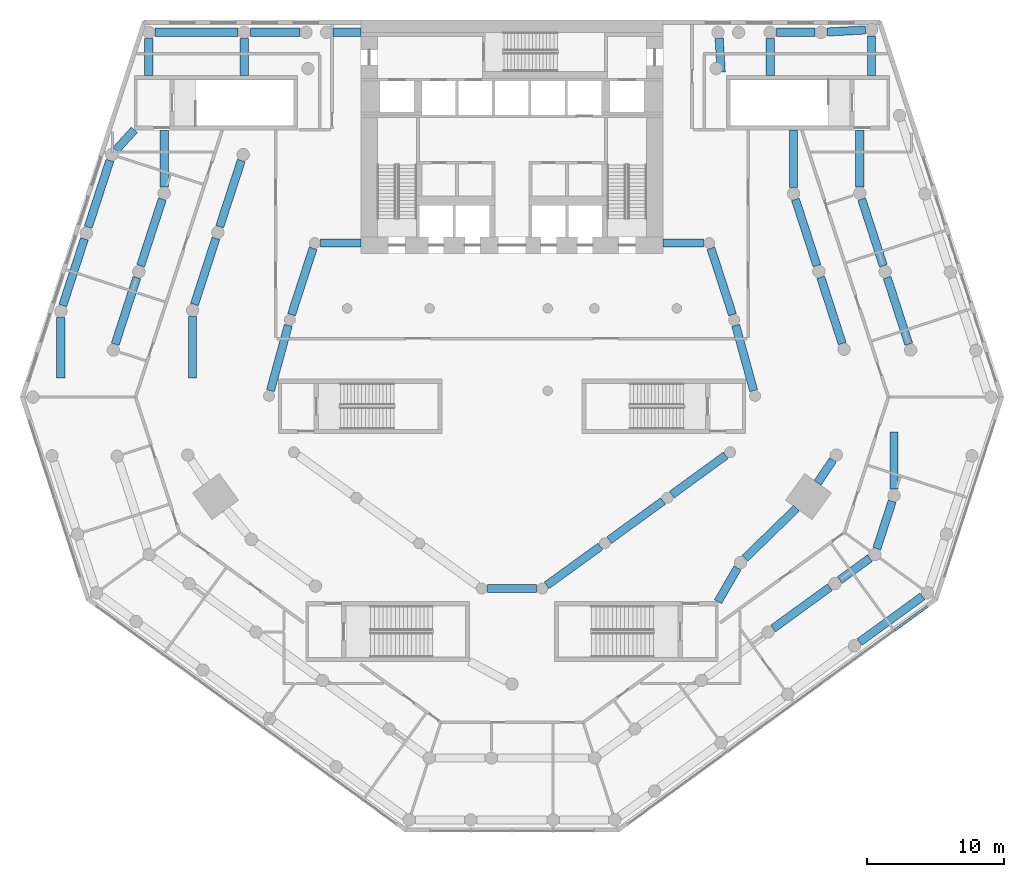
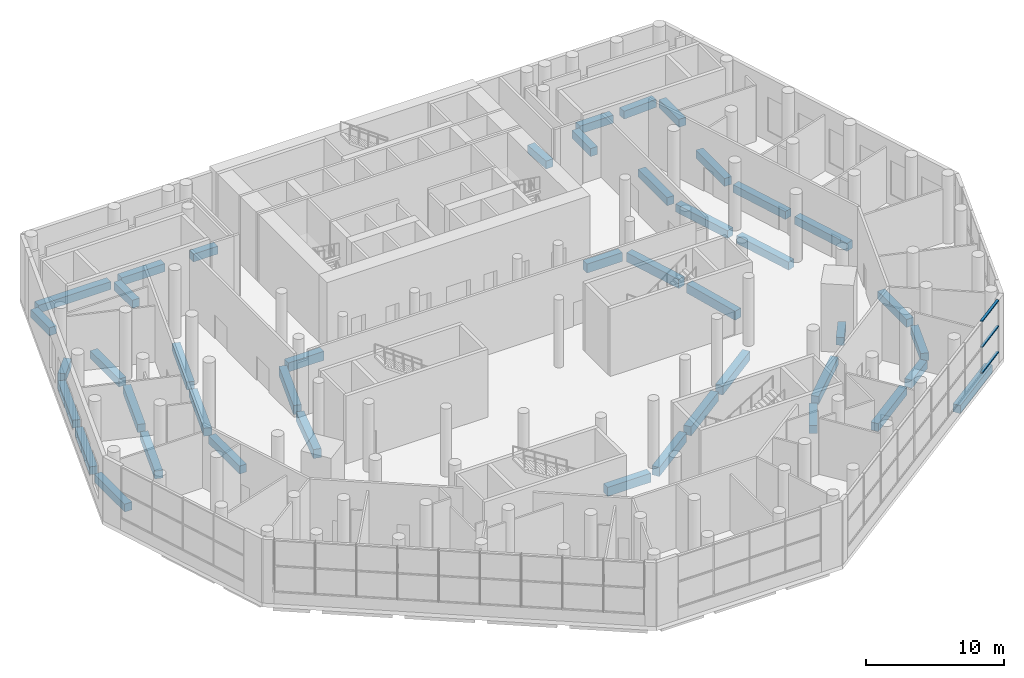
# One storey, part 6 of 19: 44 beams, 3 members, 1 element without a shape of its own.
"""IFC4 building model written with IfcOpenShell, lengths in metres."""

from ifc_helpers import new_model, si_unit, direction, frame, origin, origin_2d, place, context, subcontext, project, spatial, rectangle, extrude, material, material_profile, profile_set, type_object, element, aggregate, save


model = new_model("IFC4")

# Units and contexts
model_context = context("Model", 3, precision=1e-05, world=origin(), true_north=direction((0.0, 1.0)))
body_context = subcontext(model_context, "Body", "Model", "MODEL_VIEW")
ifc_project = project(units=[si_unit("LENGTHUNIT", "METRE"), si_unit("AREAUNIT", "SQUARE_METRE"), si_unit("VOLUMEUNIT", "CUBIC_METRE"), si_unit("PLANEANGLEUNIT", "RADIAN"), si_unit("MASSUNIT", "GRAM", prefix="KILO")], contexts=[model_context])

# Site, building, storey
site_placement = place(None, origin())
site = spatial("IfcSite", under=ifc_project, at=site_placement, CompositionType="ELEMENT")
building_placement = place(site_placement, origin())
building = spatial("IfcBuilding", under=site, at=building_placement, Name="White Candle Pilgrim Tower", CompositionType="ELEMENT")
storey_placement = place(building_placement, frame((0.0, 0.0, 23.0)))
storey = spatial("IfcBuildingStorey", under=building, at=storey_placement, Name="L03", CompositionType="ELEMENT", Elevation=23.0)

# Curtain wall, members
ifc_material_1 = material(Name="Aluminium and glass", Category="aluminium")
curtain_wall_type = type_object("IfcCurtainWallType", Name="Curtain wall CW2 prayer hall clerestory", PredefinedType="NOTDEFINED", material=ifc_material_1)
curtain_wall_placement = place(storey_placement, origin())
curtain_wall = element("IfcCurtainWall", 1, at=curtain_wall_placement, inside=storey, type_object=curtain_wall_type, Name="Curtain wall CW2 L03 SE", PredefinedType="NOTDEFINED")
ifc_material_2 = material(Name="Aluminium", Category="aluminium")
ifc_material_profile_1 = material_profile(ifc_material_2, rectangle(XDim=0.199951171875, YDim=0.10009765625, at=origin_2d()), Name="CW2 transom 100x200")
ifc_profile_set_1 = profile_set([ifc_material_profile_1], Name="Aluminium")
member_type = type_object("IfcMemberType", Name="CW2 transom 100x200", PredefinedType="USERDEFINED", material=ifc_profile_set_1)
member_1_placement = place(storey_placement, frame((97.85302734375, 43.56982421875, 1.050048828125), z_axis=(0.80903194638, 0.587764672073, 0.0), x_axis=(-0.587764672073, 0.80903194638, 0.0)))
member_1 = element("IfcMember", 2, at=member_1_placement, type_object=member_type, Name="CW2 transom 9.1", ObjectType="TRANSOM", PredefinedType="USERDEFINED", context=body_context, shape_type="SweptSolid", body=[
    extrude(rectangle(XDim=0.199951171875, YDim=0.10009765625, at=origin_2d()), origin(), (0.0, 0.0, 1.0), 2.925048828125),
])
member_2_placement = place(storey_placement, frame((97.85302734375, 43.56982421875, 3.324951171875), z_axis=(0.80903194638, 0.587764672073, 0.0), x_axis=(-0.587764672073, 0.80903194638, 0.0)))
member_2 = element("IfcMember", 3, at=member_2_placement, type_object=member_type, Name="CW2 transom 9.2", ObjectType="TRANSOM", PredefinedType="USERDEFINED", context=body_context, shape_type="SweptSolid", body=[
    extrude(rectangle(XDim=0.199951171875, YDim=0.10009765625, at=origin_2d()), origin(), (0.0, 0.0, 1.0), 2.925048828125),
])
member_3_placement = place(storey_placement, frame((97.85302734375, 43.56982421875, 5.60009765625), z_axis=(0.80903194638, 0.587764672073, 0.0), x_axis=(-0.587764672073, 0.80903194638, 0.0)))
member_3 = element("IfcMember", 4, at=member_3_placement, type_object=member_type, Name="CW2 transom 9.3", ObjectType="TRANSOM", PredefinedType="USERDEFINED", context=body_context, shape_type="SweptSolid", body=[
    extrude(rectangle(XDim=0.199951171875, YDim=0.10009765625, at=origin_2d()), origin(), (0.0, 0.0, 1.0), 2.925048828125),
])
aggregate(curtain_wall, [member_1, member_2, member_3])

# Beams
ifc_material_3 = material(Name="Concrete C50/60", Category="concrete")
ifc_material_profile_2 = material_profile(ifc_material_3, rectangle(XDim=0.60009765625, YDim=0.800048828125, at=origin_2d()), Name="RC-BM 600x800")
ifc_profile_set_2 = profile_set([ifc_material_profile_2], Name="Concrete C50/60")
beam_type_1 = type_object("IfcBeamType", Name="Ring beam RC-BM 600x800 C50/60", PredefinedType="BEAM", material=ifc_profile_set_2)
beam_1_placement = place(storey_placement, frame((68.199951171875, 46.60009765625, -0.75), z_axis=(1.0, 0.0, 0.0), x_axis=(0.0, 1.0, 0.0)))
element("IfcBeam", 5, at=beam_1_placement, inside=storey, type_object=beam_type_1, Name="L03 ring beam R04", PredefinedType="BEAM", context=body_context, shape_type="SweptSolid", body=[
    extrude(rectangle(XDim=0.60009765625, YDim=0.800048828125, at=origin_2d()), origin(), (0.0, 0.0, 1.0), 3.60009765625),
])
beam_2_placement = place(storey_placement, frame((72.52392578125, 46.83447265625, -0.75), z_axis=(0.810124276712, 0.586258182273, 0.0), x_axis=(-0.586258182273, 0.810124276712, 0.0)))
element("IfcBeam", 6, at=beam_2_placement, inside=storey, type_object=beam_type_1, Name="L03 ring beam R05", PredefinedType="BEAM", context=body_context, shape_type="SweptSolid", body=[
    extrude(rectangle(XDim=0.60009765625, YDim=0.800048828125, at=origin_2d()), origin(), (0.0, 0.0, 1.0), 4.8291015625),
])
beam_3_placement = place(storey_placement, frame((77.08349609375, 50.135009765625, -0.75), z_axis=(0.809305595912, 0.587387821141, 0.0), x_axis=(-0.587387821141, 0.809305595912, 0.0)))
element("IfcBeam", 7, at=beam_3_placement, inside=storey, type_object=beam_type_1, Name="L03 ring beam R06", PredefinedType="BEAM", context=body_context, shape_type="SweptSolid", body=[
    extrude(rectangle(XDim=0.60009765625, YDim=0.800048828125, at=origin_2d()), origin(), (0.0, 0.0, 1.0), 4.835205078125),
])
beam_4_placement = place(storey_placement, frame((81.643310546875, 53.4453125, -0.75), z_axis=(0.808428473545, 0.588594430115, 0.0), x_axis=(-0.588594430115, 0.808428473545, 0.0)))
element("IfcBeam", 8, at=beam_4_placement, inside=storey, type_object=beam_type_1, Name="L03 ring beam R07", PredefinedType="BEAM", context=body_context, shape_type="SweptSolid", body=[
    extrude(rectangle(XDim=0.60009765625, YDim=0.800048828125, at=origin_2d()), origin(), (0.0, 0.0, 1.0), 4.841064453125),
])
beam_5_placement = place(storey_placement, frame((87.593994140625, 61.015625, -0.75), z_axis=(-0.265050703949, 0.964234475808, 0.0), x_axis=(-0.964234475808, -0.265050703949, 0.0)))
element("IfcBeam", 9, at=beam_5_placement, inside=storey, type_object=beam_type_1, Name="L03 ring beam R08", PredefinedType="BEAM", context=body_context, shape_type="SweptSolid", body=[
    extrude(rectangle(XDim=0.60009765625, YDim=0.800048828125, at=origin_2d()), origin(), (0.0, 0.0, 1.0), 4.935302734375),
])
beam_6_placement = place(storey_placement, frame((86.056396484375, 66.540283203125, -0.75), z_axis=(-0.30907956305, 0.951036184225, 0.0), x_axis=(-0.951036184225, -0.30907956305, 0.0)))
element("IfcBeam", 10, at=beam_6_placement, inside=storey, type_object=beam_type_1, Name="L03 ring beam R09", PredefinedType="BEAM", context=body_context, shape_type="SweptSolid", body=[
    extrude(rectangle(XDim=0.60009765625, YDim=0.800048828125, at=origin_2d()), origin(), (0.0, 0.0, 1.0), 5.088623046875),
])
for number, where, z_axis, x_axis, name in (
    (11, (83.9599609375, 71.760009765625, -0.75), (-1.0, 0.0, 0.0), (0.0, -1.0, 0.0), "L03 ring beam R10"),
    (12, (56.0400390625, 71.760009765625, -0.75), (1.0, 0.0, 0.0), (0.0, 1.0, 0.0), "L03 ring beam R11"),
):
    element("IfcBeam", number, at=place(storey_placement, frame(where, z_axis=z_axis, x_axis=x_axis)), inside=storey, type_object=beam_type_1, Name=name, PredefinedType="BEAM", context=body_context, shape_type="SweptSolid", body=[
        extrude(rectangle(XDim=0.60009765625, YDim=0.800048828125, at=origin_2d()), origin(), (0.0, 0.0, 1.0), 2.9599609375),
    ])
beam_7_placement = place(storey_placement, frame((55.516357421875, 71.379638671875, -0.75), z_axis=(-0.30907956305, -0.951036184225, 0.0), x_axis=(0.951036184225, -0.30907956305, 0.0)))
element("IfcBeam", 13, at=beam_7_placement, inside=storey, type_object=beam_type_1, Name="L03 ring beam R12", PredefinedType="BEAM", context=body_context, shape_type="SweptSolid", body=[
    extrude(rectangle(XDim=0.60009765625, YDim=0.800048828125, at=origin_2d()), origin(), (0.0, 0.0, 1.0), 5.088623046875),
])
beam_8_placement = place(storey_placement, frame((53.714599609375, 65.774169921875, -0.75), z_axis=(-0.263418939206, -0.964681534221, 0.0), x_axis=(0.964681534221, -0.263418939206, 0.0)))
element("IfcBeam", 14, at=beam_8_placement, inside=storey, type_object=beam_type_1, Name="L03 ring beam R13", PredefinedType="BEAM", context=body_context, shape_type="SweptSolid", body=[
    extrude(rectangle(XDim=0.60009765625, YDim=0.800048828125, at=origin_2d()), origin(), (0.0, 0.0, 1.0), 4.9326171875),
])
ifc_material_profile_3 = material_profile(ifc_material_3, rectangle(XDim=0.60009765625, YDim=0.699951171875, at=origin_2d()), Name="RC-BM 600x700")
ifc_profile_set_3 = profile_set([ifc_material_profile_3], Name="Concrete C50/60")
beam_type_2 = type_object("IfcBeamType", Name="Spandrel beam RC-BM 600x700 C50/60", PredefinedType="BEAM", material=ifc_profile_set_3)
beam_9_placement = place(storey_placement, frame((86.4150390625, 48.100341796875, -0.699951171875), z_axis=(-0.500073465784, -0.865982984139, 0.0), x_axis=(0.865982984139, -0.500073465784, 0.0)))
element("IfcBeam", 15, at=beam_9_placement, inside=storey, type_object=beam_type_2, Name="L03 spandrel beam T05", PredefinedType="BEAM", context=body_context, shape_type="SweptSolid", body=[
    extrude(rectangle(XDim=0.60009765625, YDim=0.699951171875, at=origin_2d()), origin(), (0.0, 0.0, 1.0), 2.82958984375),
])
beam_10_placement = place(storey_placement, frame((86.96240234375, 48.8037109375, -0.699951171875), z_axis=(0.716431871675, 0.697657059914, 0.0), x_axis=(-0.697657059914, 0.716431871675, 0.0)))
element("IfcBeam", 16, at=beam_10_placement, inside=storey, type_object=beam_type_2, Name="L03 spandrel beam T06", PredefinedType="BEAM", context=body_context, shape_type="SweptSolid", body=[
    extrude(rectangle(XDim=0.60009765625, YDim=0.699951171875, at=origin_2d()), origin(), (0.0, 0.0, 1.0), 5.2275390625),
])
beam_11_placement = place(storey_placement, frame((92.248291015625, 54.297607421875, -0.699951171875), z_axis=(0.556617573138, 0.830768847077, 0.0), x_axis=(-0.830768847077, 0.556617573138, 0.0)))
element("IfcBeam", 17, at=beam_11_placement, inside=storey, type_object=beam_type_2, Name="L03 spandrel beam T07", PredefinedType="BEAM", context=body_context, shape_type="SweptSolid", body=[
    extrude(rectangle(XDim=0.60009765625, YDim=0.699951171875, at=origin_2d()), origin(), (0.0, 0.0, 1.0), 1.99658203125),
])
for number, where, z_axis, x_axis, name in (
    (18, (94.041015625, 64.447998046875, -0.699951171875), (-0.308620298764, 0.951185319058, 0.0), (-0.951185319058, -0.308620298764, 0.0), "L03 spandrel beam T08"),
    (19, (92.201171875, 70.117919921875, -0.699951171875), (-0.308663940381, 0.951171158051, 0.0), (-0.951171158051, -0.308663940381, 0.0), "L03 spandrel beam T09"),
):
    element("IfcBeam", number, at=place(storey_placement, frame(where, z_axis=z_axis, x_axis=x_axis)), inside=storey, type_object=beam_type_2, Name=name, PredefinedType="BEAM", context=body_context, shape_type="SweptSolid", body=[
        extrude(rectangle(XDim=0.60009765625, YDim=0.699951171875, at=origin_2d()), origin(), (0.0, 0.0, 1.0), 5.061279296875),
    ])
beam_12_placement = place(storey_placement, frame((90.5, 75.81005859375, -0.699951171875), z_axis=(0.0, 1.0, 0.0), x_axis=(-1.0, 0.0, 0.0)))
element("IfcBeam", 20, at=beam_12_placement, inside=storey, type_object=beam_type_2, Name="L03 spandrel beam T10", PredefinedType="BEAM", context=body_context, shape_type="SweptSolid", body=[
    extrude(rectangle(XDim=0.60009765625, YDim=0.699951171875, at=origin_2d()), origin(), (0.0, 0.0, 1.0), 4.18994140625),
])
beam_13_placement = place(storey_placement, frame((50.29052734375, 77.772216796875, -0.699951171875), z_axis=(-0.310219521213, -0.950664950789, 0.0), x_axis=(0.950664950789, -0.310219521213, 0.0)))
element("IfcBeam", 21, at=beam_13_placement, inside=storey, type_object=beam_type_2, Name="L03 spandrel beam T11", PredefinedType="BEAM", context=body_context, shape_type="SweptSolid", body=[
    extrude(rectangle(XDim=0.60009765625, YDim=0.699951171875, at=origin_2d()), origin(), (0.0, 0.0, 1.0), 5.064208984375),
])
beam_14_placement = place(storey_placement, frame((48.441162109375, 72.10205078125, -0.699951171875), z_axis=(-0.308663940381, -0.951171158051, 0.0), x_axis=(0.951171158051, -0.308663940381, 0.0)))
element("IfcBeam", 22, at=beam_14_placement, inside=storey, type_object=beam_type_2, Name="L03 spandrel beam T12", PredefinedType="BEAM", context=body_context, shape_type="SweptSolid", body=[
    extrude(rectangle(XDim=0.60009765625, YDim=0.699951171875, at=origin_2d()), origin(), (0.0, 0.0, 1.0), 5.061279296875),
])
beam_15_placement = place(storey_placement, frame((46.739990234375, 66.409912109375, -0.699951171875), z_axis=(0.0, -1.0, 0.0), x_axis=(1.0, 0.0, 0.0)))
element("IfcBeam", 23, at=beam_15_placement, inside=storey, type_object=beam_type_2, Name="L03 spandrel beam T13", PredefinedType="BEAM", context=body_context, shape_type="SweptSolid", body=[
    extrude(rectangle(XDim=0.60009765625, YDim=0.699951171875, at=origin_2d()), origin(), (0.0, 0.0, 1.0), 4.4599609375),
])
beam_16_placement = place(storey_placement, frame((95.2998046875, 42.703369140625, -0.699951171875), z_axis=(0.808998591139, 0.587810581339, 0.0), x_axis=(-0.587810581339, 0.808998591139, 0.0)))
element("IfcBeam", 24, at=beam_16_placement, inside=storey, type_object=beam_type_2, Name="L03 spandrel beam B15", PredefinedType="BEAM", context=body_context, shape_type="SweptSolid", body=[
    extrude(rectangle(XDim=0.60009765625, YDim=0.699951171875, at=origin_2d()), origin(), (0.0, 0.0, 1.0), 5.6689453125),
])
beam_17_placement = place(storey_placement, frame((96.180908203125, 86.85009765625, -0.699951171875), z_axis=(0.0, -1.0, 0.0), x_axis=(1.0, 0.0, 0.0)))
element("IfcBeam", 25, at=beam_17_placement, inside=storey, type_object=beam_type_2, Name="L03 spandrel beam B22", PredefinedType="BEAM", context=body_context, shape_type="SweptSolid", body=[
    extrude(rectangle(XDim=0.60009765625, YDim=0.699951171875, at=origin_2d()), origin(), (0.0, 0.0, 1.0), 2.900146484375),
])
beam_18_placement = place(storey_placement, frame((43.5439453125, 86.64990234375, -0.699951171875), z_axis=(0.0, -1.0, 0.0), x_axis=(1.0, 0.0, 0.0)))
element("IfcBeam", 26, at=beam_18_placement, inside=storey, type_object=beam_type_2, Name="L03 spandrel beam B23", PredefinedType="BEAM", context=body_context, shape_type="SweptSolid", body=[
    extrude(rectangle(XDim=0.60009765625, YDim=0.699951171875, at=origin_2d()), origin(), (0.0, 0.0, 1.0), 2.699951171875),
])
beam_19_placement = place(storey_placement, frame((41.16455078125, 78.53173828125, -0.699951171875), z_axis=(0.67285645111, 0.739773070745, 0.0), x_axis=(-0.739773070745, 0.67285645111, 0.0)))
element("IfcBeam", 27, at=beam_19_placement, inside=storey, type_object=beam_type_2, Name="L03 spandrel beam B24", PredefinedType="BEAM", context=body_context, shape_type="SweptSolid", body=[
    extrude(rectangle(XDim=0.60009765625, YDim=0.699951171875, at=origin_2d()), origin(), (0.0, 0.0, 1.0), 1.98486328125),
])
beam_20_placement = place(storey_placement, frame((40.722900390625, 77.771240234375, -0.699951171875), z_axis=(-0.309009217467, -0.951059043131, 0.0), x_axis=(0.951059043131, -0.309009217467, 0.0)))
element("IfcBeam", 28, at=beam_20_placement, inside=storey, type_object=beam_type_2, Name="L03 spandrel beam B25", PredefinedType="BEAM", context=body_context, shape_type="SweptSolid", body=[
    extrude(rectangle(XDim=0.60009765625, YDim=0.699951171875, at=origin_2d()), origin(), (0.0, 0.0, 1.0), 5.099853515625),
])
beam_21_placement = place(storey_placement, frame((38.868896484375, 72.065185546875, -0.699951171875), z_axis=(-0.30918240299, -0.951002755875, 0.0), x_axis=(0.951002755875, -0.30918240299, 0.0)))
element("IfcBeam", 29, at=beam_21_placement, inside=storey, type_object=beam_type_2, Name="L03 spandrel beam B26", PredefinedType="BEAM", context=body_context, shape_type="SweptSolid", body=[
    extrude(rectangle(XDim=0.60009765625, YDim=0.699951171875, at=origin_2d()), origin(), (0.0, 0.0, 1.0), 5.100341796875),
])
beam_22_placement = place(storey_placement, frame((37.153076171875, 66.3369140625, -0.699951171875), z_axis=(0.0, -1.0, 0.0), x_axis=(1.0, 0.0, 0.0)))
element("IfcBeam", 30, at=beam_22_placement, inside=storey, type_object=beam_type_2, Name="L03 spandrel beam B27", PredefinedType="BEAM", context=body_context, shape_type="SweptSolid", body=[
    extrude(rectangle(XDim=0.60009765625, YDim=0.699951171875, at=origin_2d()), origin(), (0.0, 0.0, 1.0), 4.386962890625),
])
beam_23_placement = place(storey_placement, frame((89.013916015625, 43.698486328125, -0.699951171875), z_axis=(0.80900095282, 0.587807330965, 0.0), x_axis=(-0.587807330965, 0.80900095282, 0.0)))
element("IfcBeam", 31, at=beam_23_placement, inside=storey, type_object=beam_type_2, Name="L03 spandrel beam C12", PredefinedType="BEAM", context=body_context, shape_type="SweptSolid", body=[
    extrude(rectangle(XDim=0.60009765625, YDim=0.699951171875, at=origin_2d()), origin(), (0.0, 0.0, 1.0), 5.100341796875),
])
beam_24_placement = place(storey_placement, frame((93.867919921875, 47.225341796875, -0.699951171875), z_axis=(0.809008975915, 0.587796288598, 0.0), x_axis=(-0.587796288598, 0.809008975915, 0.0)))
element("IfcBeam", 32, at=beam_24_placement, inside=storey, type_object=beam_type_2, Name="L03 spandrel beam C13", PredefinedType="BEAM", context=body_context, shape_type="SweptSolid", body=[
    extrude(rectangle(XDim=0.60009765625, YDim=0.699951171875, at=origin_2d()), origin(), (0.0, 0.0, 1.0), 2.707275390625),
])
beam_25_placement = place(storey_placement, frame((96.56103515625, 49.5087890625, -0.699951171875), z_axis=(0.308944435163, 0.951080089152, 0.0), x_axis=(-0.951080089152, 0.308944435163, 0.0)))
element("IfcBeam", 33, at=beam_25_placement, inside=storey, type_object=beam_type_2, Name="L03 spandrel beam C14", PredefinedType="BEAM", context=body_context, shape_type="SweptSolid", body=[
    extrude(rectangle(XDim=0.60009765625, YDim=0.699951171875, at=origin_2d()), origin(), (0.0, 0.0, 1.0), 3.624755859375),
])
beam_26_placement = place(storey_placement, frame((97.820068359375, 53.833984375, -0.699951171875), z_axis=(0.0, 1.0, 0.0), x_axis=(-1.0, 0.0, 0.0)))
element("IfcBeam", 34, at=beam_26_placement, inside=storey, type_object=beam_type_2, Name="L03 spandrel beam C15", PredefinedType="BEAM", context=body_context, shape_type="SweptSolid", body=[
    extrude(rectangle(XDim=0.60009765625, YDim=0.699951171875, at=origin_2d()), origin(), (0.0, 0.0, 1.0), 4.166015625),
])
beam_27_placement = place(storey_placement, frame((98.89111328125, 64.396728515625, -0.699951171875), z_axis=(-0.308982180599, 0.951067827272, 0.0), x_axis=(-0.951067827272, -0.308982180599, 0.0)))
element("IfcBeam", 35, at=beam_27_placement, inside=storey, type_object=beam_type_2, Name="L03 spandrel beam C16", PredefinedType="BEAM", context=body_context, shape_type="SweptSolid", body=[
    extrude(rectangle(XDim=0.60009765625, YDim=0.699951171875, at=origin_2d()), origin(), (0.0, 0.0, 1.0), 5.10107421875),
])
beam_28_placement = place(storey_placement, frame((97.037109375, 70.103759765625, -0.699951171875), z_axis=(-0.30905251673, 0.951044973649, 0.0), x_axis=(-0.951044973649, -0.30905251673, 0.0)))
element("IfcBeam", 36, at=beam_28_placement, inside=storey, type_object=beam_type_2, Name="L03 spandrel beam C17", PredefinedType="BEAM", context=body_context, shape_type="SweptSolid", body=[
    extrude(rectangle(XDim=0.60009765625, YDim=0.699951171875, at=origin_2d()), origin(), (0.0, 0.0, 1.0), 5.10009765625),
])
beam_29_placement = place(storey_placement, frame((95.322021484375, 75.83203125, -0.699951171875), z_axis=(0.0, 1.0, 0.0), x_axis=(-1.0, 0.0, 0.0)))
element("IfcBeam", 37, at=beam_29_placement, inside=storey, type_object=beam_type_2, Name="L03 spandrel beam C18", PredefinedType="BEAM", context=body_context, shape_type="SweptSolid", body=[
    extrude(rectangle(XDim=0.60009765625, YDim=0.699951171875, at=origin_2d()), origin(), (0.0, 0.0, 1.0), 4.16796875),
])
for number, where, z_axis, x_axis, name in (
    (38, (88.800048828125, 86.64990234375, -0.699951171875), (0.0, -1.0, 0.0), (1.0, 0.0, 0.0), "L03 spandrel beam C19"),
    (39, (50.5, 86.64990234375, -0.699951171875), (0.0, -1.0, 0.0), (1.0, 0.0, 0.0), "L03 spandrel beam C20"),
):
    element("IfcBeam", number, at=place(storey_placement, frame(where, z_axis=z_axis, x_axis=x_axis)), inside=storey, type_object=beam_type_2, Name=name, PredefinedType="BEAM", context=body_context, shape_type="SweptSolid", body=[
        extrude(rectangle(XDim=0.60009765625, YDim=0.699951171875, at=origin_2d()), origin(), (0.0, 0.0, 1.0), 2.699951171875),
    ])
beam_30_placement = place(storey_placement, frame((44.677978515625, 75.83203125, -0.699951171875), z_axis=(0.0, 1.0, 0.0), x_axis=(-1.0, 0.0, 0.0)))
element("IfcBeam", 40, at=beam_30_placement, inside=storey, type_object=beam_type_2, Name="L03 spandrel beam C21", PredefinedType="BEAM", context=body_context, shape_type="SweptSolid", body=[
    extrude(rectangle(XDim=0.60009765625, YDim=0.699951171875, at=origin_2d()), origin(), (0.0, 0.0, 1.0), 4.16796875),
])
beam_31_placement = place(storey_placement, frame((44.5390625, 74.9541015625, -0.699951171875), z_axis=(-0.30905251673, -0.951044973649, 0.0), x_axis=(0.951044973649, -0.30905251673, 0.0)))
element("IfcBeam", 41, at=beam_31_placement, inside=storey, type_object=beam_type_2, Name="L03 spandrel beam C22", PredefinedType="BEAM", context=body_context, shape_type="SweptSolid", body=[
    extrude(rectangle(XDim=0.60009765625, YDim=0.699951171875, at=origin_2d()), origin(), (0.0, 0.0, 1.0), 5.10009765625),
])
beam_32_placement = place(storey_placement, frame((42.68505859375, 69.248291015625, -0.699951171875), z_axis=(-0.308982180599, -0.951067827272, 0.0), x_axis=(0.951067827272, -0.308982180599, 0.0)))
element("IfcBeam", 42, at=beam_32_placement, inside=storey, type_object=beam_type_2, Name="L03 spandrel beam C23", PredefinedType="BEAM", context=body_context, shape_type="SweptSolid", body=[
    extrude(rectangle(XDim=0.60009765625, YDim=0.699951171875, at=origin_2d()), origin(), (0.0, 0.0, 1.0), 5.10107421875),
])
beam_33_placement = place(storey_placement, frame((43.993896484375, 87.10009765625, -0.699951171875), z_axis=(1.0, 0.0, 0.0), x_axis=(0.0, 1.0, 0.0)))
element("IfcBeam", 43, at=beam_33_placement, inside=storey, type_object=beam_type_2, Name="L03 spandrel beam N01", PredefinedType="BEAM", context=body_context, shape_type="SweptSolid", body=[
    extrude(rectangle(XDim=0.60009765625, YDim=0.699951171875, at=origin_2d()), origin(), (0.0, 0.0, 1.0), 6.05615234375),
])
beam_34_placement = place(storey_placement, frame((50.949951171875, 87.10009765625, -0.699951171875), z_axis=(1.0, 0.0, 0.0), x_axis=(0.0, 1.0, 0.0)))
element("IfcBeam", 44, at=beam_34_placement, inside=storey, type_object=beam_type_2, Name="L03 spandrel beam N02", PredefinedType="BEAM", context=body_context, shape_type="SweptSolid", body=[
    extrude(rectangle(XDim=0.60009765625, YDim=0.699951171875, at=origin_2d()), origin(), (0.0, 0.0, 1.0), 3.60009765625),
])
beam_35_placement = place(storey_placement, frame((56.949951171875, 87.10009765625, -0.699951171875), z_axis=(1.0, 0.0, 0.0), x_axis=(0.0, 1.0, 0.0)))
element("IfcBeam", 45, at=beam_35_placement, inside=storey, type_object=beam_type_2, Name="L03 spandrel beam N03", PredefinedType="BEAM", context=body_context, shape_type="SweptSolid", body=[
    extrude(rectangle(XDim=0.60009765625, YDim=0.699951171875, at=origin_2d()), origin(), (0.0, 0.0, 1.0), 2.050048828125),
])
beam_36_placement = place(storey_placement, frame((85.084228515625, 86.658203125, -0.699951171875), z_axis=(0.061114110735, -0.998130785754, 0.0), x_axis=(0.998130785754, 0.061114110735, 0.0)))
element("IfcBeam", 46, at=beam_36_placement, inside=storey, type_object=beam_type_2, Name="L03 spandrel beam N04", PredefinedType="BEAM", context=body_context, shape_type="SweptSolid", body=[
    extrude(rectangle(XDim=0.60009765625, YDim=0.699951171875, at=origin_2d()), origin(), (0.0, 0.0, 1.0), 2.452880859375),
])
beam_37_placement = place(storey_placement, frame((89.25, 87.10009765625, -0.699951171875), z_axis=(1.0, 0.0, 0.0), x_axis=(0.0, 1.0, 0.0)))
element("IfcBeam", 47, at=beam_37_placement, inside=storey, type_object=beam_type_2, Name="L03 spandrel beam N05", PredefinedType="BEAM", context=body_context, shape_type="SweptSolid", body=[
    extrude(rectangle(XDim=0.60009765625, YDim=0.699951171875, at=origin_2d()), origin(), (0.0, 0.0, 1.0), 2.800048828125),
])
beam_38_placement = place(storey_placement, frame((92.94921875, 87.12451171875, -0.699951171875), z_axis=(0.998528329196, 0.05423260821, 0.0), x_axis=(-0.05423260821, 0.998528329196, 0.0)))
element("IfcBeam", 48, at=beam_38_placement, inside=storey, type_object=beam_type_2, Name="L03 spandrel beam N06", PredefinedType="BEAM", context=body_context, shape_type="SweptSolid", body=[
    extrude(rectangle(XDim=0.60009765625, YDim=0.699951171875, at=origin_2d()), origin(), (0.0, 0.0, 1.0), 2.78662109375),
])

save(model, "model.ifc")
